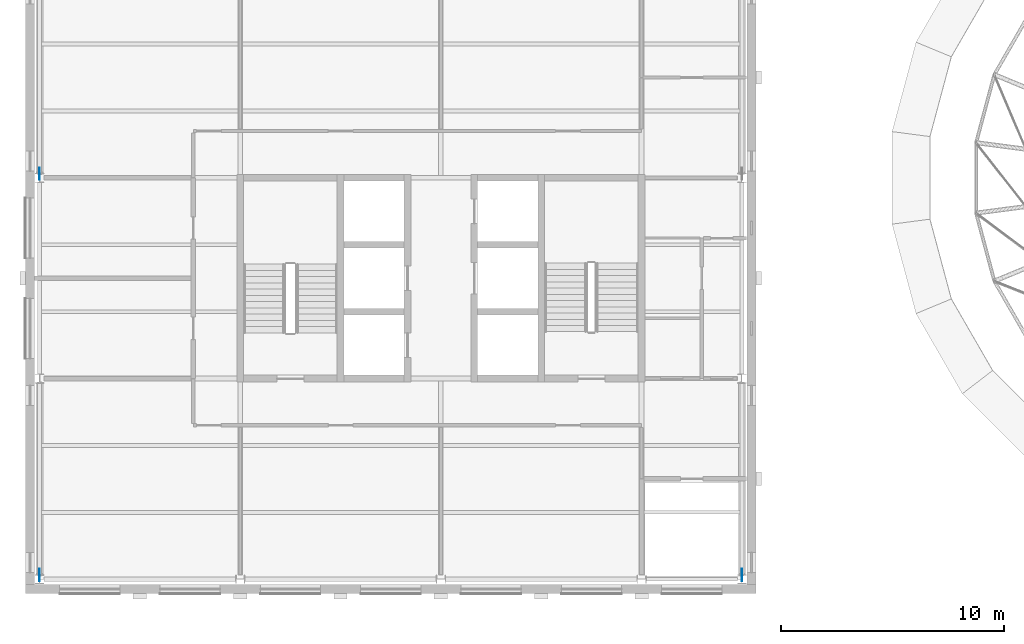
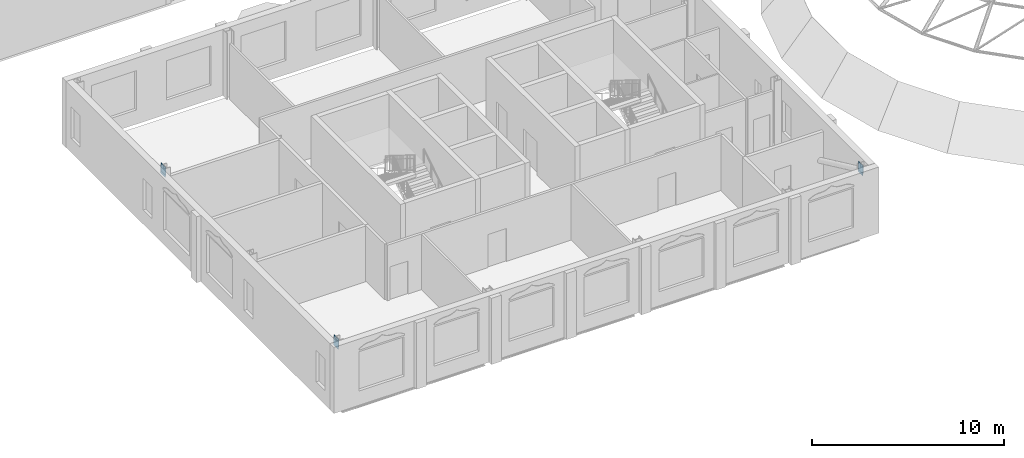
# One storey, part 16 of 33: 6 discrete accessories.
"""IFC4 building model written with IfcOpenShell, lengths in metres."""

from ifc_helpers import new_model, si_unit, direction, frame, origin, origin_2d, place, context, subcontext, project, spatial, rectangle, extrude, material, type_object, element, save


model = new_model("IFC4")

# Units and contexts
model_context = context("Model", 3, precision=1e-05, world=origin(), true_north=direction((0.0, 1.0)))
body_context = subcontext(model_context, "Body", "Model", "MODEL_VIEW")
ifc_project = project(units=[si_unit("LENGTHUNIT", "METRE"), si_unit("AREAUNIT", "SQUARE_METRE"), si_unit("VOLUMEUNIT", "CUBIC_METRE"), si_unit("PLANEANGLEUNIT", "RADIAN"), si_unit("MASSUNIT", "GRAM", prefix="KILO")], contexts=[model_context])

# Site, building, storey
site_placement = place(None, origin())
site = spatial("IfcSite", under=ifc_project, at=site_placement, CompositionType="ELEMENT")
building_placement = place(site_placement, origin())
building = spatial("IfcBuilding", under=site, at=building_placement, Name="Hortulan Conservatory and Botanical Research Centre", CompositionType="ELEMENT")
storey_placement = place(building_placement, frame((0.0, 0.0, 19.199951171875)))
storey = spatial("IfcBuildingStorey", under=building, at=storey_placement, Name="L04", CompositionType="ELEMENT", Elevation=19.199951171875)

# Discrete accessories
ifc_material = material(Name="Steel Grade 300 plate (AS/NZS 3678, 280 MPa minimum yield)", Category="steel")
discrete_accessory_type = type_object("IfcDiscreteAccessoryType", Name="End Plate 500x20", PredefinedType="BRACKET", material=ifc_material)
for number, where, z_axis, x_axis, name in (
    (1, (0.0, 0.2109375, 3.491455078125), (0.0, 0.0, 1.0), (0.0, -1.0, 0.0), "Brace end plate"),
    (2, (0.0, 0.16357421875, 3.666259765625), (0.0, 0.0, 1.0), (0.0, -1.0, 0.0), "Brace end plate"),
    (3, (0.0, 18.2109375, 3.491455078125), (0.0, 0.0, 1.0), (0.0, -1.0, 0.0), "Brace end plate"),
    (4, (0.0, 18.16357421875, 3.666259765625), (0.0, 0.0, 1.0), (0.0, -1.0, 0.0), "Brace end plate"),
    (5, (31.5, 0.2109375, 3.491455078125), (0.0, 0.0, 1.0), (0.0, -1.0, 0.0), "Brace end plate"),
    (6, (31.5, 0.16357421875, 3.666259765625), (0.0, 0.0, 1.0), (0.0, -1.0, 0.0), "Brace end plate"),
):
    element("IfcDiscreteAccessory", number, at=place(storey_placement, frame(where, z_axis=z_axis, x_axis=x_axis)), inside=storey, type_object=discrete_accessory_type, Name=name, PredefinedType="BRACKET", context=body_context, shape_type="SweptSolid", body=[
        extrude(rectangle(XDim=0.5, YDim=0.02001953125, at=origin_2d()), origin(), (0.0, 0.0, 1.0), 0.5),
    ])

save(model, "model.ifc")
